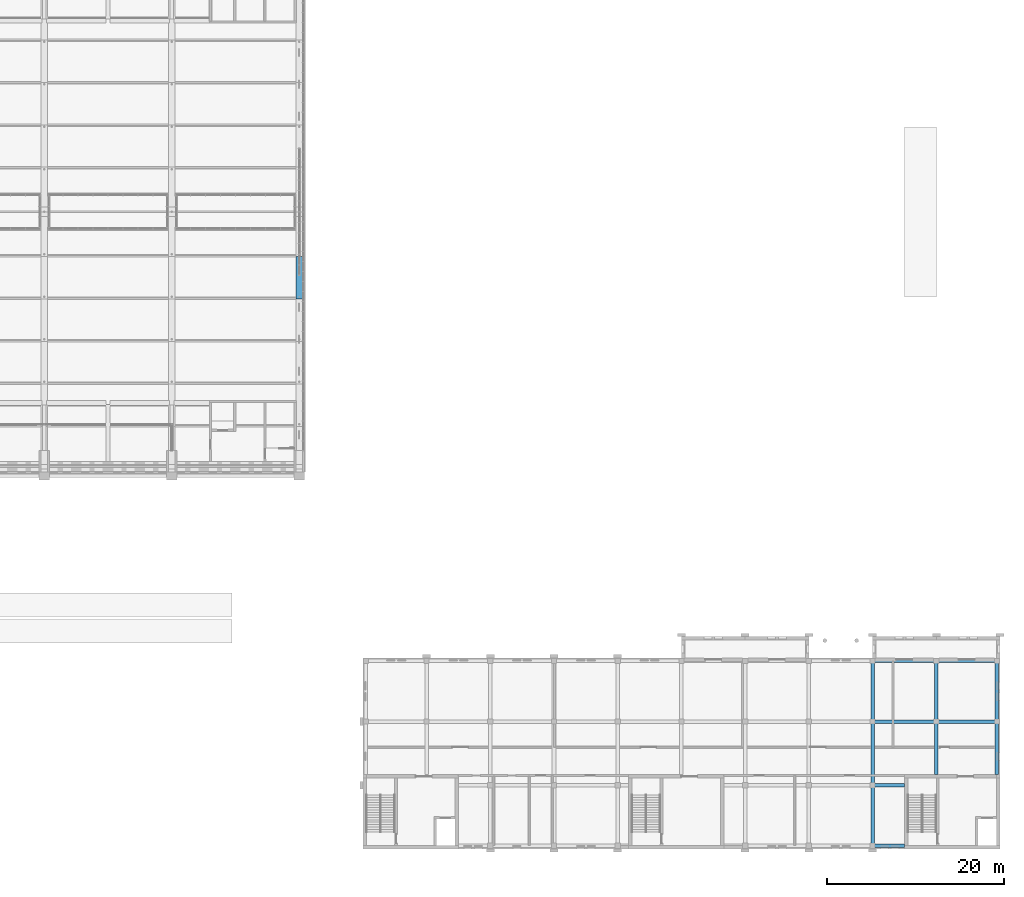
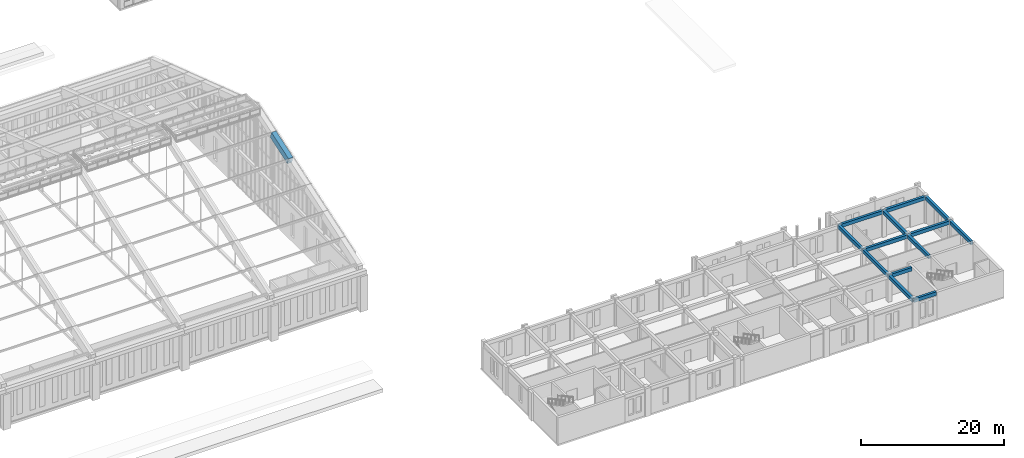
# One storey, part 93 of 149: 14 beams.
"""IFC4 building model written with IfcOpenShell, lengths in metres."""

from ifc_helpers import new_model, si_unit, direction, frame, origin, origin_2d, place, context, subcontext, project, spatial, rectangle, extrude, material, material_profile, profile_set, type_object, element, save


model = new_model("IFC4")

# Units and contexts
model_context = context("Model", 3, precision=1e-05, world=origin(), true_north=direction((0.0, 1.0)))
body_context = subcontext(model_context, "Body", "Model", "MODEL_VIEW")
ifc_project = project(units=[si_unit("LENGTHUNIT", "METRE"), si_unit("AREAUNIT", "SQUARE_METRE"), si_unit("VOLUMEUNIT", "CUBIC_METRE"), si_unit("PLANEANGLEUNIT", "RADIAN"), si_unit("MASSUNIT", "GRAM", prefix="KILO")], contexts=[model_context])

# Site, building, storey
site_placement = place(None, origin())
site = spatial("IfcSite", under=ifc_project, at=site_placement, CompositionType="ELEMENT")
building_placement = place(site_placement, origin())
building = spatial("IfcBuilding", under=site, at=building_placement, Name="Alderwick Market Hall", CompositionType="ELEMENT")
storey_placement = place(building_placement, frame((0.0, 0.0, 9.60009765625)))
storey = spatial("IfcBuildingStorey", under=building, at=storey_placement, Name="L01", CompositionType="ELEMENT", Elevation=9.60009765625)

# Beams
ifc_material = material(Name="Concrete 5000 psi (f'c 35 MPa)", Category="concrete")
ifc_material_profile_1 = material_profile(ifc_material, rectangle(XDim=0.39990234375, YDim=0.60009765625, at=origin_2d()), Name="RC 400x600")
ifc_profile_set_1 = profile_set([ifc_material_profile_1], Name="Concrete 5000 psi (f'c 35 MPa)")
beam_type_1 = type_object("IfcBeamType", Name="C Floor Beam RC 400x600", PredefinedType="BEAM", material=ifc_profile_set_1)
beam_1_placement = place(storey_placement, frame((216.0, 28.449951171875, 4.25), z_axis=(1.0, 0.0, 0.0), x_axis=(0.0, 1.0, 0.0)))
element("IfcBeam", 1, at=beam_1_placement, inside=storey, type_object=beam_type_1, Name="C.beam.L01.009", PredefinedType="BEAM", context=body_context, shape_type="SweptSolid", body=[
    extrude(rectangle(XDim=0.39990234375, YDim=0.60009765625, at=origin_2d()), origin(), (0.0, 0.0, 1.0), 7.199951171875),
])
beam_2_placement = place(storey_placement, frame((223.199951171875, 28.449951171875, 4.25), z_axis=(1.0, 0.0, 0.0), x_axis=(0.0, 1.0, 0.0)))
element("IfcBeam", 2, at=beam_2_placement, inside=storey, type_object=beam_type_1, Name="C.beam.L01.010", PredefinedType="BEAM", context=body_context, shape_type="SweptSolid", body=[
    extrude(rectangle(XDim=0.39990234375, YDim=0.60009765625, at=origin_2d()), origin(), (0.0, 0.0, 1.0), 6.85009765625),
])
beam_3_placement = place(storey_placement, frame((216.0, 21.60009765625, 4.25), z_axis=(1.0, 0.0, 0.0), x_axis=(0.0, 1.0, 0.0)))
element("IfcBeam", 3, at=beam_3_placement, inside=storey, type_object=beam_type_1, Name="C.beam.L01.019", PredefinedType="BEAM", context=body_context, shape_type="SweptSolid", body=[
    extrude(rectangle(XDim=0.39990234375, YDim=0.60009765625, at=origin_2d()), origin(), (0.0, 0.0, 1.0), 7.199951171875),
])
beam_4_placement = place(storey_placement, frame((223.199951171875, 21.60009765625, 4.25), z_axis=(1.0, 0.0, 0.0), x_axis=(0.0, 1.0, 0.0)))
element("IfcBeam", 4, at=beam_4_placement, inside=storey, type_object=beam_type_1, Name="C.beam.L01.020", PredefinedType="BEAM", context=body_context, shape_type="SweptSolid", body=[
    extrude(rectangle(XDim=0.39990234375, YDim=0.60009765625, at=origin_2d()), origin(), (0.0, 0.0, 1.0), 6.85009765625),
])
for number, where, z_axis, x_axis, name in (
    (5, (216.0, 14.39990234375, 4.25), (1.0, 0.0, 0.0), (0.0, 1.0, 0.0), "C.beam.L01.028"),
    (6, (216.0, 7.550048828125, 4.25), (1.0, 0.0, 0.0), (0.0, 1.0, 0.0), "C.beam.L01.036"),
):
    element("IfcBeam", number, at=place(storey_placement, frame(where, z_axis=z_axis, x_axis=x_axis)), inside=storey, type_object=beam_type_1, Name=name, PredefinedType="BEAM", context=body_context, shape_type="SweptSolid", body=[
        extrude(rectangle(XDim=0.39990234375, YDim=0.60009765625, at=origin_2d()), origin(), (0.0, 0.0, 1.0), 3.60107421875),
    ])
beam_5_placement = place(storey_placement, frame((216.0, 28.449951171875, 4.25), z_axis=(0.0, -1.0, 0.0), x_axis=(1.0, 0.0, 0.0)))
element("IfcBeam", 7, at=beam_5_placement, inside=storey, type_object=beam_type_1, Name="C.beam.L01.058", PredefinedType="BEAM", context=body_context, shape_type="SweptSolid", body=[
    extrude(rectangle(XDim=0.39990234375, YDim=0.60009765625, at=origin_2d()), origin(), (0.0, 0.0, 1.0), 6.849853515625),
])
beam_6_placement = place(storey_placement, frame((216.0, 21.60009765625, 4.25), z_axis=(0.0, -1.0, 0.0), x_axis=(1.0, 0.0, 0.0)))
element("IfcBeam", 8, at=beam_6_placement, inside=storey, type_object=beam_type_1, Name="C.beam.L01.059", PredefinedType="BEAM", context=body_context, shape_type="SweptSolid", body=[
    extrude(rectangle(XDim=0.39990234375, YDim=0.60009765625, at=origin_2d()), origin(), (0.0, 0.0, 1.0), 7.2001953125),
])
for number, where, z_axis, x_axis, name in (
    (9, (216.0, 14.39990234375, 4.25), (0.0, -1.0, 0.0), (1.0, 0.0, 0.0), "C.beam.L01.060"),
    (10, (223.199951171875, 28.449951171875, 4.25), (0.0, -1.0, 0.0), (1.0, 0.0, 0.0), "C.beam.L01.061"),
):
    element("IfcBeam", number, at=place(storey_placement, frame(where, z_axis=z_axis, x_axis=x_axis)), inside=storey, type_object=beam_type_1, Name=name, PredefinedType="BEAM", context=body_context, shape_type="SweptSolid", body=[
        extrude(rectangle(XDim=0.39990234375, YDim=0.60009765625, at=origin_2d()), origin(), (0.0, 0.0, 1.0), 6.849853515625),
    ])
beam_7_placement = place(storey_placement, frame((223.199951171875, 21.60009765625, 4.25), z_axis=(0.0, -1.0, 0.0), x_axis=(1.0, 0.0, 0.0)))
element("IfcBeam", 11, at=beam_7_placement, inside=storey, type_object=beam_type_1, Name="C.beam.L01.062", PredefinedType="BEAM", context=body_context, shape_type="SweptSolid", body=[
    extrude(rectangle(XDim=0.39990234375, YDim=0.60009765625, at=origin_2d()), origin(), (0.0, 0.0, 1.0), 6.0009765625),
])
beam_8_placement = place(storey_placement, frame((230.050048828125, 28.449951171875, 4.25), z_axis=(0.0, -1.0, 0.0), x_axis=(1.0, 0.0, 0.0)))
element("IfcBeam", 12, at=beam_8_placement, inside=storey, type_object=beam_type_1, Name="C.beam.L01.063", PredefinedType="BEAM", context=body_context, shape_type="SweptSolid", body=[
    extrude(rectangle(XDim=0.39990234375, YDim=0.60009765625, at=origin_2d()), origin(), (0.0, 0.0, 1.0), 6.849853515625),
])
beam_9_placement = place(storey_placement, frame((230.050048828125, 21.60009765625, 4.25), z_axis=(0.0, -1.0, 0.0), x_axis=(1.0, 0.0, 0.0)))
element("IfcBeam", 13, at=beam_9_placement, inside=storey, type_object=beam_type_1, Name="C.beam.L01.064", PredefinedType="BEAM", context=body_context, shape_type="SweptSolid", body=[
    extrude(rectangle(XDim=0.39990234375, YDim=0.60009765625, at=origin_2d()), origin(), (0.0, 0.0, 1.0), 6.0009765625),
])
ifc_material_profile_2 = material_profile(ifc_material, rectangle(XDim=0.75, YDim=1.10009765625, at=origin_2d()), Name="RC 750x1100")
ifc_profile_set_2 = profile_set([ifc_material_profile_2], Name="Concrete 5000 psi (f'c 35 MPa)")
beam_type_2 = type_object("IfcBeamType", Name="R Arch Rib Crown 750x1100", PredefinedType="BEAM", material=ifc_profile_set_2)
beam_10_placement = place(storey_placement, frame((151.199951171875, 69.536865234375, 13.189697265625), z_axis=(0.0, 0.948688123414, 0.316213289559), x_axis=(-1.0, 0.0, 0.0)))
element("IfcBeam", 14, at=beam_10_placement, inside=storey, type_object=beam_type_2, Name="Arch rib 8 chord 5", PredefinedType="BEAM", context=body_context, shape_type="SweptSolid", body=[
    extrude(rectangle(XDim=0.75, YDim=1.10009765625, at=origin_2d()), origin(), (0.0, 0.0, 1.0), 5.059326171875),
])

save(model, "model.ifc")
